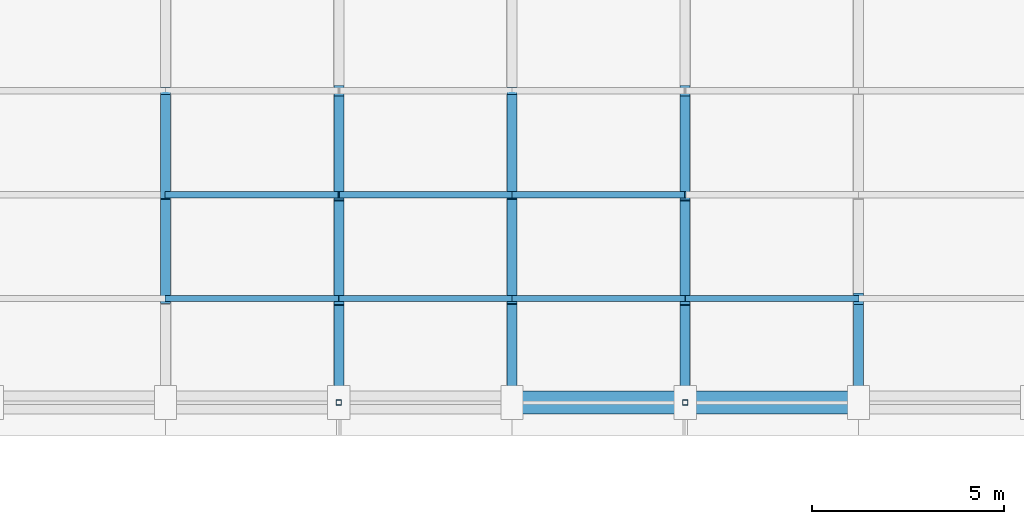
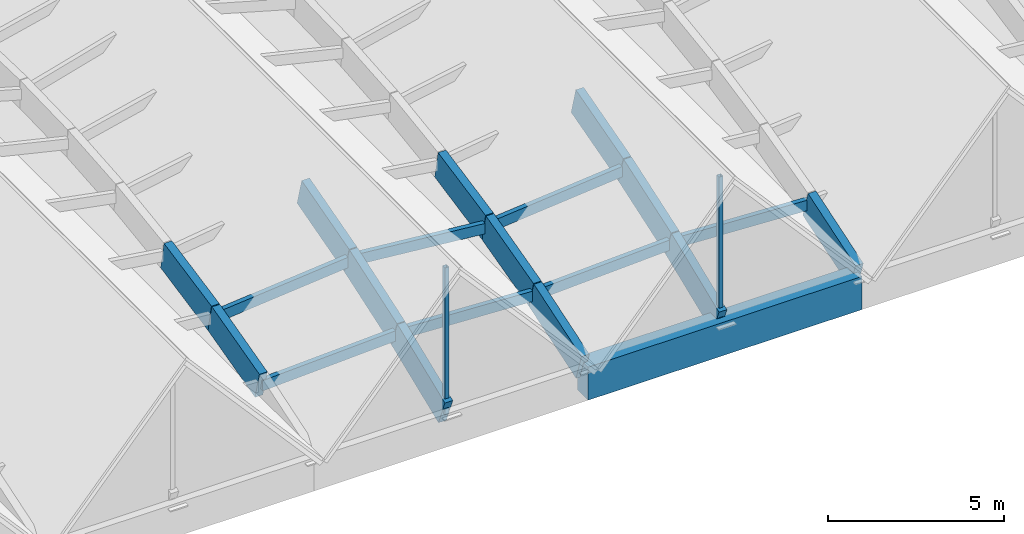
# One storey, part 14 of 39: 21 members, 1 beam.
"""IFC4 building model written with IfcOpenShell, lengths in metres."""

from ifc_helpers import new_model, si_unit, direction, frame, origin, origin_2d, place, context, subcontext, project, spatial, rectangle, hollow_rectangle, extrude, material, material_profile, profile_set, type_object, element, save


model = new_model("IFC4")

# Units and contexts
model_context = context("Model", 3, precision=1e-05, world=origin(), true_north=direction((0.0, 1.0)))
body_context = subcontext(model_context, "Body", "Model", "MODEL_VIEW")
ifc_project = project(units=[si_unit("LENGTHUNIT", "METRE"), si_unit("AREAUNIT", "SQUARE_METRE"), si_unit("VOLUMEUNIT", "CUBIC_METRE"), si_unit("PLANEANGLEUNIT", "RADIAN"), si_unit("MASSUNIT", "GRAM", prefix="KILO")], contexts=[model_context])

# Site, building, storey
site_placement = place(None, origin())
site = spatial("IfcSite", under=ifc_project, at=site_placement, CompositionType="ELEMENT")
building_placement = place(site_placement, origin())
building = spatial("IfcBuilding", under=site, at=building_placement, Name="Tizgana Railside Sports Hall", CompositionType="ELEMENT")
storey_placement = place(building_placement, frame((0.0, 0.0, 23.699951171875)))
storey = spatial("IfcBuildingStorey", under=building, at=storey_placement, Name="RF", CompositionType="ELEMENT", Elevation=23.699951171875)

# Beam
ifc_material_1 = material(Name="Concrete C40/50", Category="concrete")
ifc_material_profile_1 = material_profile(ifc_material_1, rectangle(XDim=0.60009765625, YDim=1.14990234375, at=origin_2d()), Name="RCB 600x1150")
ifc_profile_set_1 = profile_set([ifc_material_profile_1], Name="Concrete C40/50")
beam_type = type_object("IfcBeamType", Name="Concrete Beam RCB 600x1150", PredefinedType="BEAM", material=ifc_profile_set_1)
beam_placement = place(storey_placement, frame((106.800048828125, 40.800048828125, -3.27490234375), z_axis=(1.0, 0.0, 0.0), x_axis=(0.0, 1.0, 0.0)))
element("IfcBeam", 1, at=beam_placement, inside=storey, type_object=beam_type, Name="RF BEM-1226", PredefinedType="BEAM", context=body_context, shape_type="SweptSolid", body=[
    extrude(rectangle(XDim=0.60009765625, YDim=1.14990234375, at=origin_2d()), origin(), (0.0, 0.0, 1.0), 9.0),
])

# Members
ifc_material_2 = material(Name="Glulam GL32h", Category="wood")
ifc_material_profile_2 = material_profile(ifc_material_2, rectangle(XDim=0.260009765625, YDim=0.97998046875, at=origin_2d()), Name="GL 260x980")
ifc_profile_set_2 = profile_set([ifc_material_profile_2], Name="Glulam GL32h")
member_type_1 = type_object("IfcMemberType", Name="Glulam Arch Segment GL 260x980", PredefinedType="USERDEFINED", material=ifc_profile_set_2)
member_1_placement = place(storey_placement, frame((97.800048828125, 43.5, -1.97119140625), z_axis=(0.0, 0.96740233444, 0.253244394448), x_axis=(-1.0, 0.0, 0.0)))
element("IfcMember", 2, at=member_1_placement, inside=storey, type_object=member_type_1, Name="RF V2 Arch Chord MEM-0459", ObjectType="ARCH_SEGMENT", PredefinedType="USERDEFINED", context=body_context, shape_type="SweptSolid", body=[
    extrude(rectangle(XDim=0.260009765625, YDim=0.97998046875, at=origin_2d()), origin(), (0.0, 0.0, 1.0), 2.791015625),
])
member_2_placement = place(storey_placement, frame((97.800048828125, 46.199951171875, -1.264404296875), z_axis=(0.0, 0.980406395207, 0.196985533064), x_axis=(-1.0, 0.0, 0.0)))
element("IfcMember", 3, at=member_2_placement, inside=storey, type_object=member_type_1, Name="RF V2 Arch Chord MEM-0460", ObjectType="ARCH_SEGMENT", PredefinedType="USERDEFINED", context=body_context, shape_type="SweptSolid", body=[
    extrude(rectangle(XDim=0.260009765625, YDim=0.97998046875, at=origin_2d()), origin(), (0.0, 0.0, 1.0), 2.75390625),
])
member_3_placement = place(storey_placement, frame((102.300048828125, 40.800048828125, -2.849853515625), z_axis=(0.0, 0.927129277991, 0.37474164686), x_axis=(-1.0, 0.0, 0.0)))
element("IfcMember", 4, at=member_3_placement, inside=storey, type_object=member_type_1, Name="RF V2 Arch Chord MEM-0471", ObjectType="ARCH_SEGMENT", PredefinedType="USERDEFINED", context=body_context, shape_type="SweptSolid", body=[
    extrude(rectangle(XDim=0.260009765625, YDim=0.97998046875, at=origin_2d()), origin(), (0.0, 0.0, 1.0), 2.912109375),
])
member_4_placement = place(storey_placement, frame((102.300048828125, 43.5, -1.758544921875), z_axis=(0.0, 0.946643794117, 0.322281751049), x_axis=(-1.0, 0.0, 0.0)))
element("IfcMember", 5, at=member_4_placement, inside=storey, type_object=member_type_1, Name="RF V2 Arch Chord MEM-0472", ObjectType="ARCH_SEGMENT", PredefinedType="USERDEFINED", context=body_context, shape_type="SweptSolid", body=[
    extrude(rectangle(XDim=0.260009765625, YDim=0.97998046875, at=origin_2d()), origin(), (0.0, 0.0, 1.0), 2.85205078125),
])
member_5_placement = place(storey_placement, frame((102.300048828125, 46.199951171875, -0.83935546875), z_axis=(0.0, 0.963066151939, 0.269264901148), x_axis=(-1.0, 0.0, 0.0)))
element("IfcMember", 6, at=member_5_placement, inside=storey, type_object=member_type_1, Name="RF V2 Arch Chord MEM-0473", ObjectType="ARCH_SEGMENT", PredefinedType="USERDEFINED", context=body_context, shape_type="SweptSolid", body=[
    extrude(rectangle(XDim=0.260009765625, YDim=0.97998046875, at=origin_2d()), origin(), (0.0, 0.0, 1.0), 2.803466796875),
])
member_6_placement = place(storey_placement, frame((106.800048828125, 40.800048828125, -2.849853515625), z_axis=(0.0, 0.950912040346, 0.30946129245), x_axis=(-1.0, 0.0, 0.0)))
element("IfcMember", 7, at=member_6_placement, inside=storey, type_object=member_type_1, Name="RF V2 Arch Chord MEM-0484", ObjectType="ARCH_SEGMENT", PredefinedType="USERDEFINED", context=body_context, shape_type="SweptSolid", body=[
    extrude(rectangle(XDim=0.260009765625, YDim=0.97998046875, at=origin_2d()), origin(), (0.0, 0.0, 1.0), 2.83935546875),
])
member_7_placement = place(storey_placement, frame((106.800048828125, 43.5, -1.97119140625), z_axis=(0.0, 0.96740233444, 0.253244394448), x_axis=(-1.0, 0.0, 0.0)))
element("IfcMember", 8, at=member_7_placement, inside=storey, type_object=member_type_1, Name="RF V2 Arch Chord MEM-0485", ObjectType="ARCH_SEGMENT", PredefinedType="USERDEFINED", context=body_context, shape_type="SweptSolid", body=[
    extrude(rectangle(XDim=0.260009765625, YDim=0.97998046875, at=origin_2d()), origin(), (0.0, 0.0, 1.0), 2.791015625),
])
member_8_placement = place(storey_placement, frame((106.800048828125, 46.199951171875, -1.264404296875), z_axis=(0.0, 0.980406395207, 0.196985533064), x_axis=(-1.0, 0.0, 0.0)))
element("IfcMember", 9, at=member_8_placement, inside=storey, type_object=member_type_1, Name="RF V2 Arch Chord MEM-0486", ObjectType="ARCH_SEGMENT", PredefinedType="USERDEFINED", context=body_context, shape_type="SweptSolid", body=[
    extrude(rectangle(XDim=0.260009765625, YDim=0.97998046875, at=origin_2d()), origin(), (0.0, 0.0, 1.0), 2.75390625),
])
member_9_placement = place(storey_placement, frame((111.300048828125, 40.800048828125, -2.849853515625), z_axis=(0.0, 0.927129277991, 0.37474164686), x_axis=(-1.0, 0.0, 0.0)))
element("IfcMember", 10, at=member_9_placement, inside=storey, type_object=member_type_1, Name="RF V2 Arch Chord MEM-0497", ObjectType="ARCH_SEGMENT", PredefinedType="USERDEFINED", context=body_context, shape_type="SweptSolid", body=[
    extrude(rectangle(XDim=0.260009765625, YDim=0.97998046875, at=origin_2d()), origin(), (0.0, 0.0, 1.0), 2.912109375),
])
member_10_placement = place(storey_placement, frame((111.300048828125, 43.5, -1.758544921875), z_axis=(0.0, 0.946643794117, 0.322281751049), x_axis=(-1.0, 0.0, 0.0)))
element("IfcMember", 11, at=member_10_placement, inside=storey, type_object=member_type_1, Name="RF V2 Arch Chord MEM-0498", ObjectType="ARCH_SEGMENT", PredefinedType="USERDEFINED", context=body_context, shape_type="SweptSolid", body=[
    extrude(rectangle(XDim=0.260009765625, YDim=0.97998046875, at=origin_2d()), origin(), (0.0, 0.0, 1.0), 2.85205078125),
])
member_11_placement = place(storey_placement, frame((111.300048828125, 46.199951171875, -0.83935546875), z_axis=(0.0, 0.963066151939, 0.269264901148), x_axis=(-1.0, 0.0, 0.0)))
element("IfcMember", 12, at=member_11_placement, inside=storey, type_object=member_type_1, Name="RF V2 Arch Chord MEM-0499", ObjectType="ARCH_SEGMENT", PredefinedType="USERDEFINED", context=body_context, shape_type="SweptSolid", body=[
    extrude(rectangle(XDim=0.260009765625, YDim=0.97998046875, at=origin_2d()), origin(), (0.0, 0.0, 1.0), 2.803466796875),
])
member_12_placement = place(storey_placement, frame((115.800048828125, 40.800048828125, -2.849853515625), z_axis=(0.0, 0.950912040346, 0.30946129245), x_axis=(-1.0, 0.0, 0.0)))
element("IfcMember", 13, at=member_12_placement, inside=storey, type_object=member_type_1, Name="RF V2 Arch Chord MEM-0510", ObjectType="ARCH_SEGMENT", PredefinedType="USERDEFINED", context=body_context, shape_type="SweptSolid", body=[
    extrude(rectangle(XDim=0.260009765625, YDim=0.97998046875, at=origin_2d()), origin(), (0.0, 0.0, 1.0), 2.83935546875),
])
ifc_material_3 = material(Name="Glulam GL28h", Category="wood")
ifc_material_profile_3 = material_profile(ifc_material_3, rectangle(XDim=0.159912109375, YDim=0.360107421875, at=origin_2d()), Name="GL 160x360")
ifc_profile_set_3 = profile_set([ifc_material_profile_3], Name="Glulam GL28h")
member_type_2 = type_object("IfcMemberType", Name="Glulam Roof Purlin GL 160x360", PredefinedType="PURLIN", material=ifc_profile_set_3)
for number, where, z_axis, x_axis, name in (
    (14, (97.800048828125, 43.5, -1.97119140625), (0.998885359561, 0.0, 0.047202102223), (0.0, 1.0, 0.0), "RF V2 Purlin MEM-0633"),
    (15, (102.300048828125, 43.5, -1.758544921875), (0.998885359561, 0.0, -0.047202102223), (0.0, 1.0, 0.0), "RF V2 Purlin MEM-0634"),
):
    element("IfcMember", number, at=place(storey_placement, frame(where, z_axis=z_axis, x_axis=x_axis)), inside=storey, type_object=member_type_2, Name=name, PredefinedType="PURLIN", context=body_context, shape_type="SweptSolid", body=[
        extrude(rectangle(XDim=0.159912109375, YDim=0.360107421875, at=origin_2d()), origin(), (0.0, 0.0, 1.0), 4.505126953125),
    ])
for number, where, z_axis, x_axis, name in (
    (16, (97.800048828125, 46.199951171875, -1.264404296875), (0.995568727865, 0.0, 0.094036738022), (0.0, 1.0, 0.0), "RF V2 Purlin MEM-0635"),
    (17, (102.300048828125, 46.199951171875, -0.83935546875), (0.995568727865, 0.0, -0.094036738022), (0.0, 1.0, 0.0), "RF V2 Purlin MEM-0636"),
):
    element("IfcMember", number, at=place(storey_placement, frame(where, z_axis=z_axis, x_axis=x_axis)), inside=storey, type_object=member_type_2, Name=name, PredefinedType="PURLIN", context=body_context, shape_type="SweptSolid", body=[
        extrude(rectangle(XDim=0.159912109375, YDim=0.360107421875, at=origin_2d()), origin(), (0.0, 0.0, 1.0), 4.52001953125),
    ])
for number, where, z_axis, x_axis, name in (
    (18, (106.800048828125, 43.5, -1.97119140625), (0.998885359561, 0.0, 0.047202102223), (0.0, 1.0, 0.0), "RF V2 Purlin MEM-0658"),
    (19, (111.300048828125, 43.5, -1.758544921875), (0.998885359561, 0.0, -0.047202102223), (0.0, 1.0, 0.0), "RF V2 Purlin MEM-0659"),
):
    element("IfcMember", number, at=place(storey_placement, frame(where, z_axis=z_axis, x_axis=x_axis)), inside=storey, type_object=member_type_2, Name=name, PredefinedType="PURLIN", context=body_context, shape_type="SweptSolid", body=[
        extrude(rectangle(XDim=0.159912109375, YDim=0.360107421875, at=origin_2d()), origin(), (0.0, 0.0, 1.0), 4.505126953125),
    ])
member_13_placement = place(storey_placement, frame((106.800048828125, 46.199951171875, -1.264404296875), z_axis=(0.995568727865, 0.0, 0.094036738022), x_axis=(0.0, 1.0, 0.0)))
element("IfcMember", 20, at=member_13_placement, inside=storey, type_object=member_type_2, Name="RF V2 Purlin MEM-0660", PredefinedType="PURLIN", context=body_context, shape_type="SweptSolid", body=[
    extrude(rectangle(XDim=0.159912109375, YDim=0.360107421875, at=origin_2d()), origin(), (0.0, 0.0, 1.0), 4.52001953125),
])
ifc_material_4 = material(Name="Steel S355J2", Category="steel")
ifc_material_profile_4 = material_profile(ifc_material_4, hollow_rectangle(XDim=0.139892578125, YDim=0.139892578125, WallThickness=0.008056640625, at=origin_2d()), Name="SHS 140x140x8")
ifc_profile_set_4 = profile_set([ifc_material_profile_4], Name="Steel S355J2")
member_type_3 = type_object("IfcMemberType", Name="Steel Brace SHS 140x140x8", PredefinedType="BRACE", material=ifc_profile_set_4)
for number, where, z_axis, x_axis, name in (
    (21, (102.300048828125, 40.800048828125, -2.89990234375), (0.0, 0.0, 1.0), (1.0, 0.0, 0.0), "RF King Post"),
    (22, (111.300048828125, 40.800048828125, -2.89990234375), (0.0, 0.0, 1.0), (1.0, 0.0, 0.0), "RF King Post"),
):
    element("IfcMember", number, at=place(storey_placement, frame(where, z_axis=z_axis, x_axis=x_axis)), inside=storey, type_object=member_type_3, Name=name, PredefinedType="BRACE", context=body_context, shape_type="SweptSolid", body=[
        extrude(hollow_rectangle(XDim=0.139892578125, YDim=0.139892578125, WallThickness=0.008056640625, at=origin_2d()), origin(), (0.0, 0.0, 1.0), 5.099853515625),
    ])

save(model, "model.ifc")
